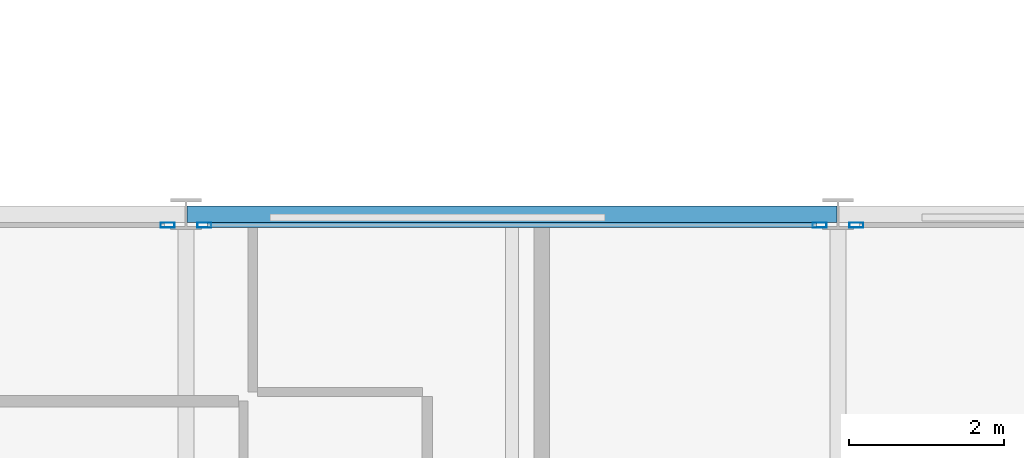
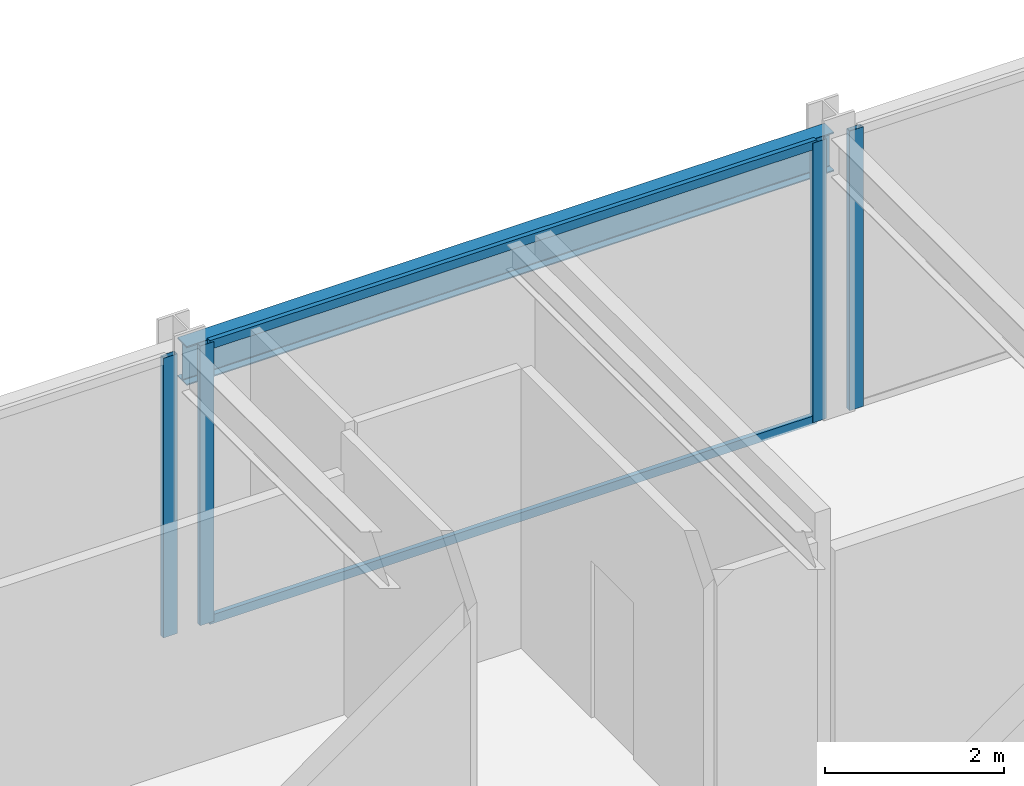
# One storey, part 20 of 38: 6 members, 1 beam, 3 elements without a shape of their own.
"""IFC4 building model written with IfcOpenShell, lengths in metres."""

from ifc_helpers import new_model, si_unit, direction, frame, origin, origin_2d, place, context, subcontext, project, spatial, hollow_rectangle, i_section, extrude, material, layer, layer_set, material_profile, profile_set, type_object, element, aggregate, save


model = new_model("IFC4")

# Units and contexts
model_context = context("Model", 3, precision=1e-05, world=origin(), true_north=direction((0.0, 1.0)))
body_context = subcontext(model_context, "Body", "Model", "MODEL_VIEW")
ifc_project = project(units=[si_unit("LENGTHUNIT", "METRE"), si_unit("AREAUNIT", "SQUARE_METRE"), si_unit("VOLUMEUNIT", "CUBIC_METRE"), si_unit("PLANEANGLEUNIT", "RADIAN"), si_unit("MASSUNIT", "GRAM", prefix="KILO")], contexts=[model_context])

# Site, building, storey
site_placement = place(None, origin())
site = spatial("IfcSite", under=ifc_project, at=site_placement, CompositionType="ELEMENT")
building_placement = place(site_placement, origin())
building = spatial("IfcBuilding", under=site, at=building_placement, Name="Nerrivon Quay Data Exchange", CompositionType="ELEMENT")
storey_placement = place(building_placement, frame((0.0, 0.0, 84.39990234375)))
storey = spatial("IfcBuildingStorey", under=building, at=storey_placement, Name="L19", CompositionType="ELEMENT", Elevation=84.39990234375)

# Beam
ifc_material_1 = material(Name="Steel Grade 350", Category="steel")
ifc_material_profile_1 = material_profile(ifc_material_1, i_section(OverallWidth=0.208984375, OverallDepth=0.532958984375, WebThickness=0.01025390625, FlangeThickness=0.015625, FilletRadius=0.013916015625, at=origin_2d()), Name="530UB92.4")
ifc_profile_set_1 = profile_set([ifc_material_profile_1], Name="Steel Grade 350")
beam_type = type_object("IfcBeamType", Name="BM-G3-530UB92", PredefinedType="BEAM", material=ifc_profile_set_1)
beam_placement = place(storey_placement, frame((33.612548828125, 25.199951171875, 3.55859375), z_axis=(1.0, 0.0, 0.0), x_axis=(0.0, 1.0, 0.0)))
element("IfcBeam", 1, at=beam_placement, inside=storey, type_object=beam_type, Name="L19 EW Girder Y=25.2 (33.6..42.0)", PredefinedType="BEAM", context=body_context, shape_type="SweptSolid", body=[
    extrude(i_section(OverallWidth=0.208984375, OverallDepth=0.532958984375, WebThickness=0.01025390625, FlangeThickness=0.015625, FilletRadius=0.013916015625, at=origin_2d()), origin(), (0.0, 0.0, 1.0), 8.375),
])

# Curtain wall, member
ifc_material_2 = material(Name="Anodised aluminium 6063-T6", Category="aluminium")
ifc_layer = layer(ifc_material_2, 0.2099609375)
ifc_layer_set = layer_set([ifc_layer], Name="Anodised aluminium 6063-T6")
curtain_wall_type = type_object("IfcCurtainWallType", Name="CW-SYS-02", PredefinedType="NOTDEFINED", material=ifc_layer_set)
curtain_wall_1_placement = place(storey_placement, origin())
curtain_wall_1 = element("IfcCurtainWall", 2, at=curtain_wall_1_placement, inside=storey, type_object=curtain_wall_type, Name="L19 Unitised Curtain Wall 32", PredefinedType="NOTDEFINED")
ifc_material_profile_2 = material_profile(ifc_material_2, hollow_rectangle(XDim=0.06494140625, YDim=0.179931640625, WallThickness=0.00341796875, at=origin_2d()), Name="ALU-MULL-180x65")
ifc_profile_set_2 = profile_set([ifc_material_profile_2], Name="Anodised aluminium 6063-T6")
member_type_1 = type_object("IfcMemberType", Name="CWM-180x65", PredefinedType="MULLION", material=ifc_profile_set_2)
member_1_placement = place(storey_placement, frame((33.362548828125, 25.06005859375, 0.0), z_axis=(0.0, 0.0, 1.0), x_axis=(0.0, 1.0, 0.0)))
member_1 = element("IfcMember", 3, at=member_1_placement, type_object=member_type_1, Name="CW02 mullion 2", PredefinedType="MULLION", context=body_context, shape_type="SweptSolid", body=[
    extrude(hollow_rectangle(XDim=0.06494140625, YDim=0.179931640625, WallThickness=0.00341796875, at=origin_2d()), origin(), (0.0, 0.0, 1.0), 3.8251953125),
])
aggregate(curtain_wall_1, [member_1])

# Curtain wall, members
curtain_wall_2_placement = place(storey_placement, origin())
curtain_wall_2 = element("IfcCurtainWall", 4, at=curtain_wall_2_placement, inside=storey, type_object=curtain_wall_type, Name="L19 Unitised Curtain Wall 33", PredefinedType="NOTDEFINED")
member_2_placement = place(storey_placement, frame((33.83740234375, 25.06005859375, 0.0), z_axis=(0.0, 0.0, 1.0), x_axis=(0.0, 1.0, 0.0)))
member_2 = element("IfcMember", 5, at=member_2_placement, type_object=member_type_1, Name="CW02 mullion 1", PredefinedType="MULLION", context=body_context, shape_type="SweptSolid", body=[
    extrude(hollow_rectangle(XDim=0.06494140625, YDim=0.179931640625, WallThickness=0.00341796875, at=origin_2d()), origin(), (0.0, 0.0, 1.0), 3.8251953125),
])
member_3_placement = place(storey_placement, frame((41.762451171875, 25.06005859375, 0.0), z_axis=(0.0, 0.0, 1.0), x_axis=(0.0, 1.0, 0.0)))
member_3 = element("IfcMember", 6, at=member_3_placement, type_object=member_type_1, Name="CW02 mullion 2", PredefinedType="MULLION", context=body_context, shape_type="SweptSolid", body=[
    extrude(hollow_rectangle(XDim=0.06494140625, YDim=0.179931640625, WallThickness=0.00341796875, at=origin_2d()), origin(), (0.0, 0.0, 1.0), 3.8251953125),
])

# Curtain wall, member
curtain_wall_3_placement = place(storey_placement, origin())
curtain_wall_3 = element("IfcCurtainWall", 7, at=curtain_wall_3_placement, inside=storey, type_object=curtain_wall_type, Name="L19 Unitised Curtain Wall 34", PredefinedType="NOTDEFINED")
member_4_placement = place(storey_placement, frame((42.237548828125, 25.06005859375, 0.0), z_axis=(0.0, 0.0, 1.0), x_axis=(0.0, 1.0, 0.0)))
member_4 = element("IfcMember", 8, at=member_4_placement, type_object=member_type_1, Name="CW02 mullion 1", PredefinedType="MULLION", context=body_context, shape_type="SweptSolid", body=[
    extrude(hollow_rectangle(XDim=0.06494140625, YDim=0.179931640625, WallThickness=0.00341796875, at=origin_2d()), origin(), (0.0, 0.0, 1.0), 3.8251953125),
])
aggregate(curtain_wall_3, [member_4])

# Member
ifc_material_profile_3 = material_profile(ifc_material_2, hollow_rectangle(XDim=0.06005859375, YDim=0.1201171875, WallThickness=0.003173828125, at=origin_2d()), Name="ALU-TRAN-120x60")
ifc_profile_set_3 = profile_set([ifc_material_profile_3], Name="Anodised aluminium 6063-T6")
member_type_2 = type_object("IfcMemberType", Name="CWT-120x60", PredefinedType="USERDEFINED", material=ifc_profile_set_3)
member_5_placement = place(storey_placement, frame((33.875, 25.06005859375, 0.03271484375), z_axis=(1.0, 0.0, 0.0), x_axis=(0.0, 1.0, 0.0)))
member_5 = element("IfcMember", 9, at=member_5_placement, type_object=member_type_2, Name="CW02 transom 1.1", ObjectType="TRANSOM", PredefinedType="USERDEFINED", context=body_context, shape_type="SweptSolid", body=[
    extrude(hollow_rectangle(XDim=0.06005859375, YDim=0.1201171875, WallThickness=0.003173828125, at=origin_2d()), origin(), (0.0, 0.0, 1.0), 7.85009765625),
])

member_6_placement = place(storey_placement, frame((33.875, 25.06005859375, 3.79248046875), z_axis=(1.0, 0.0, 0.0), x_axis=(0.0, 1.0, 0.0)))
member_6 = element("IfcMember", 10, at=member_6_placement, type_object=member_type_2, Name="CW02 transom 1.2", ObjectType="TRANSOM", PredefinedType="USERDEFINED", context=body_context, shape_type="SweptSolid", body=[
    extrude(hollow_rectangle(XDim=0.06005859375, YDim=0.1201171875, WallThickness=0.003173828125, at=origin_2d()), origin(), (0.0, 0.0, 1.0), 7.85009765625),
])

aggregate(curtain_wall_2, [member_2, member_3, member_5, member_6])

save(model, "model.ifc")
